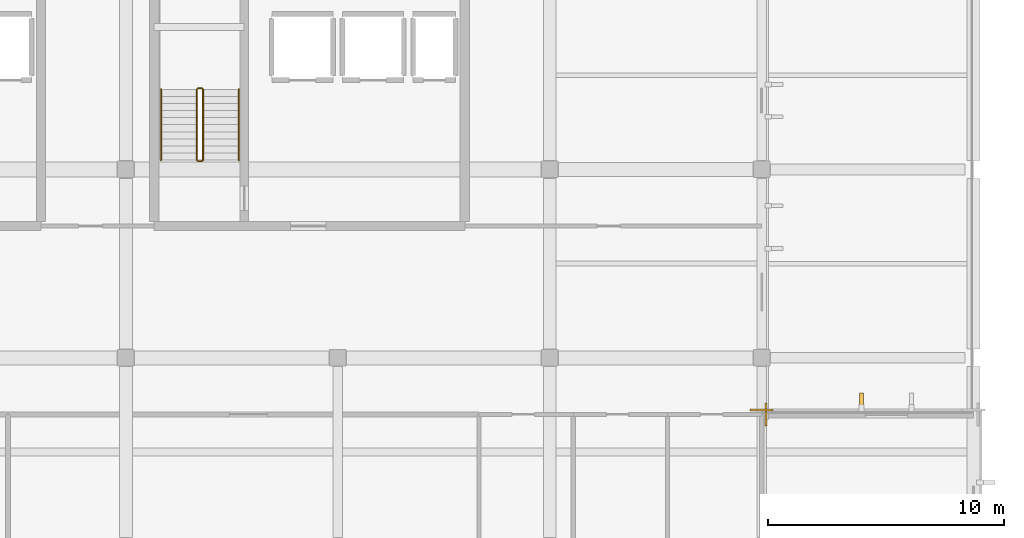
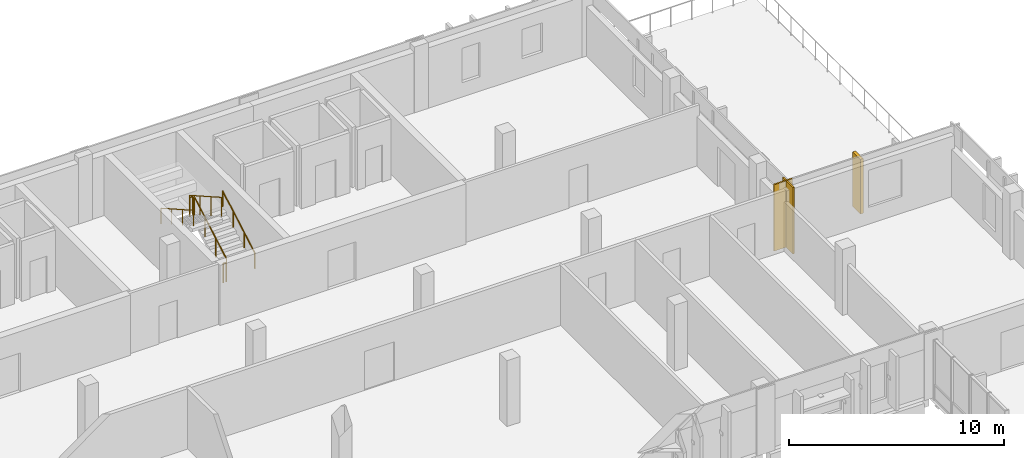
# One storey, part 70 of 73: 6 railings, 2 coverings, 1 shading device.
"""IFC4 building model written with IfcOpenShell, lengths in metres."""

from ifc_helpers import new_model, si_unit, direction, frame, origin, origin_2d, place, context, subcontext, project, spatial, rectangle, circle, extrude, material, layer, layer_set, type_object, element, save


model = new_model("IFC4")

# Units and contexts
model_context = context("Model", 3, precision=1e-05, world=origin(), true_north=direction((0.0, 1.0)))
body_context = subcontext(model_context, "Body", "Model", "MODEL_VIEW")
ifc_project = project(units=[si_unit("LENGTHUNIT", "METRE"), si_unit("AREAUNIT", "SQUARE_METRE"), si_unit("VOLUMEUNIT", "CUBIC_METRE"), si_unit("PLANEANGLEUNIT", "RADIAN"), si_unit("MASSUNIT", "GRAM", prefix="KILO")], contexts=[model_context])

# Site, building, storey
site_placement = place(None, origin())
site = spatial("IfcSite", under=ifc_project, at=site_placement, CompositionType="ELEMENT")
building_placement = place(site_placement, origin())
building = spatial("IfcBuilding", under=site, at=building_placement, Name="Vervanel Yard Central Library", CompositionType="ELEMENT")
storey_placement = place(building_placement, frame((0.0, 0.0, 12.780029296875)))
storey = spatial("IfcBuildingStorey", under=building, at=storey_placement, Name="L03", CompositionType="ELEMENT", Elevation=12.780029296875)

# Railings
ifc_material_1 = material(Name="Brushed stainless steel AISI 316", Category="steel")
railing_type_1 = type_object("IfcRailingType", Name="Brushed Stainless Stair Handrail 900", PredefinedType="HANDRAIL", material=ifc_material_1)
railing_1_placement = place(storey_placement, frame((67.800048828125, 106.39990234375, 0.169921875)))
element("IfcRailing", 1, at=railing_1_placement, inside=storey, type_object=railing_type_1, Name="L03 ST-02 stair handrail 1", PredefinedType="HANDRAIL", context=body_context, shape_type="SweptSolid", body=[
    extrude(circle(Radius=0.02392578125, at=origin_2d()), frame((0.0, 0.0, 0.8759765625), z_axis=(0.0, 0.870028259722, 0.493001853226), x_axis=(-1.0, 0.0, 0.0)), (0.0, 0.0, 1.0), 3.4482421875),
    extrude(circle(Radius=0.02099609375, at=origin_2d()), origin(), (0.0, 0.0, 1.0), 0.851806640625),
    extrude(circle(Radius=0.02099609375, at=origin_2d()), frame((0.0, 1.0, 0.566650390625)), (0.0, 0.0, 1.0), 0.851806640625),
    extrude(circle(Radius=0.02099609375, at=origin_2d()), frame((0.0, 2.0, 1.13330078125)), (0.0, 0.0, 1.0), 0.851806640625),
    extrude(circle(Radius=0.02099609375, at=origin_2d()), frame((0.0, 3.0, 1.699951171875)), (0.0, 0.0, 1.0), 0.851806640625),
])
railing_2_placement = place(storey_placement, frame((64.5, 109.39990234375, 2.0400390625)))
element("IfcRailing", 2, at=railing_2_placement, inside=storey, type_object=railing_type_1, Name="L03 ST-02 stair handrail 2", PredefinedType="HANDRAIL", context=body_context, shape_type="SweptSolid", body=[
    extrude(circle(Radius=0.02392578125, at=origin_2d()), frame((0.0, 0.0, 0.8759765625), z_axis=(0.0, -0.870028259722, 0.493001853226), x_axis=(1.0, 0.0, 0.0)), (0.0, 0.0, 1.0), 3.4482421875),
    extrude(circle(Radius=0.02099609375, at=origin_2d()), origin(), (0.0, 0.0, 1.0), 0.851806640625),
    extrude(circle(Radius=0.02099609375, at=origin_2d()), frame((0.0, -1.0, 0.566650390625)), (0.0, 0.0, 1.0), 0.851806640625),
    extrude(circle(Radius=0.02099609375, at=origin_2d()), frame((0.0, -2.0, 1.13330078125)), (0.0, 0.0, 1.0), 0.851806640625),
    extrude(circle(Radius=0.02099609375, at=origin_2d()), frame((0.0, -3.0, 1.699951171875)), (0.0, 0.0, 1.0), 0.851806640625),
])

# Coverings
ifc_material_2 = material(Name="Precast concrete C45/55", Category="concrete")
ifc_layer = layer(ifc_material_2, 0.0849609375, Category="concrete")
ifc_layer_set = layer_set([ifc_layer], Name="Precast concrete C45/55")
covering_type = type_object("IfcCoveringType", Name="Bush-Hammered Precast Architectural Cladding Panel", PredefinedType="CLADDING", material=ifc_layer_set)
for number, where, z_axis, x_axis, name in (
    (3, (90.0, 95.79248046875, 0.0), (0.0, 0.0, 1.0), (-1.0, 0.0, 0.0), "L03 Precast Concrete Pier Pilaster EWALL-L03-0058-B"),
    (4, (90.1923828125, 95.60009765625, 0.0), (0.0, 0.0, 1.0), (0.0, 1.0, 0.0), "L03 Precast Concrete Pier Pilaster EWALL-L03-0059-A"),
):
    element("IfcCovering", number, at=place(storey_placement, frame(where, z_axis=z_axis, x_axis=x_axis)), inside=storey, type_object=covering_type, Name=name, PredefinedType="CLADDING", context=body_context, shape_type="SweptSolid", body=[
        extrude(rectangle(XDim=0.97998046875, YDim=0.0849609375, at=origin_2d()), origin(), (0.0, 0.0, 1.0), 3.760009765625),
    ])

# Railings
ifc_material_3 = material(Name="Galvanized painted steelwork ASTM A500 Grade C", Category="steel")
railing_type_2 = type_object("IfcRailingType", Name="Painted Steel Guardrail 1100", PredefinedType="GUARDRAIL", material=ifc_material_3)
railing_3_placement = place(storey_placement, frame((66.280029296875, 106.39990234375, 0.169921875)))
element("IfcRailing", 5, at=railing_3_placement, inside=storey, type_object=railing_type_2, Name="L03 ST-02 stair guard 1", PredefinedType="GUARDRAIL", context=body_context, shape_type="SweptSolid", body=[
    extrude(circle(Radius=0.02392578125, at=origin_2d()), frame((0.0, 0.0, 1.076171875), z_axis=(0.0, 0.870028259722, 0.493001853226), x_axis=(-1.0, 0.0, 0.0)), (0.0, 0.0, 1.0), 3.4482421875),
    extrude(circle(Radius=0.02099609375, at=origin_2d()), origin(), (0.0, 0.0, 1.0), 1.052001953125),
    extrude(circle(Radius=0.02099609375, at=origin_2d()), frame((0.0, 1.0, 0.566650390625)), (0.0, 0.0, 1.0), 1.052001953125),
    extrude(circle(Radius=0.02099609375, at=origin_2d()), frame((0.0, 2.0, 1.13330078125)), (0.0, 0.0, 1.0), 1.052001953125),
    extrude(circle(Radius=0.02099609375, at=origin_2d()), frame((0.0, 3.0, 1.699951171875)), (0.0, 0.0, 1.0), 1.052001953125),
])
railing_4_placement = place(storey_placement, frame((66.22998046875, 109.449951171875, 1.869873046875)))
element("IfcRailing", 6, at=railing_4_placement, inside=storey, type_object=railing_type_2, Name="L03 ST-02 stair guard 2", PredefinedType="GUARDRAIL", context=body_context, shape_type="SweptSolid", body=[
    extrude(circle(Radius=0.02392578125, at=origin_2d()), frame((0.0, 0.0, 1.076171875), z_axis=(-1.0, 0.0, 0.0), x_axis=(0.0, -1.0, 0.0)), (0.0, 0.0, 1.0), 0.159912109375),
    extrude(circle(Radius=0.02099609375, at=origin_2d()), origin(), (0.0, 0.0, 1.0), 1.052001953125),
    extrude(circle(Radius=0.02099609375, at=origin_2d()), frame((-0.159912109375, 0.0, 0.0)), (0.0, 0.0, 1.0), 1.052001953125),
])
railing_5_placement = place(storey_placement, frame((66.02001953125, 109.39990234375, 2.0400390625)))
element("IfcRailing", 7, at=railing_5_placement, inside=storey, type_object=railing_type_2, Name="L03 ST-02 stair guard 3", PredefinedType="GUARDRAIL", context=body_context, shape_type="SweptSolid", body=[
    extrude(circle(Radius=0.02392578125, at=origin_2d()), frame((0.0, 0.0, 1.076171875), z_axis=(0.0, -0.870028259722, 0.493001853226), x_axis=(1.0, 0.0, 0.0)), (0.0, 0.0, 1.0), 3.4482421875),
    extrude(circle(Radius=0.02099609375, at=origin_2d()), origin(), (0.0, 0.0, 1.0), 1.052001953125),
    extrude(circle(Radius=0.02099609375, at=origin_2d()), frame((0.0, -1.0, 0.566650390625)), (0.0, 0.0, 1.0), 1.052001953125),
    extrude(circle(Radius=0.02099609375, at=origin_2d()), frame((0.0, -2.0, 1.13330078125)), (0.0, 0.0, 1.0), 1.052001953125),
    extrude(circle(Radius=0.02099609375, at=origin_2d()), frame((0.0, -3.0, 1.699951171875)), (0.0, 0.0, 1.0), 1.052001953125),
])
railing_6_placement = place(storey_placement, frame((66.22998046875, 106.35009765625, 0.0)))
element("IfcRailing", 8, at=railing_6_placement, inside=storey, type_object=railing_type_2, Name="L03 ST-02 stair guard 4", PredefinedType="GUARDRAIL", context=body_context, shape_type="SweptSolid", body=[
    extrude(circle(Radius=0.02392578125, at=origin_2d()), frame((0.0, 0.0, 1.076171875), z_axis=(-1.0, 0.0, 0.0), x_axis=(0.0, -1.0, 0.0)), (0.0, 0.0, 1.0), 0.159912109375),
    extrude(circle(Radius=0.02099609375, at=origin_2d()), origin(), (0.0, 0.0, 1.0), 1.052001953125),
    extrude(circle(Radius=0.02099609375, at=origin_2d()), frame((-0.159912109375, 0.0, 0.0)), (0.0, 0.0, 1.0), 1.052001953125),
])

# Shading device
shading_device_type = type_object("IfcShadingDeviceType", Name="Vertical Precast Solar Fin 160x720x3200", PredefinedType="JALOUSIE", material=ifc_material_2)
shading_device_placement = place(storey_placement, frame((94.239990234375, 96.14990234375, 0.449951171875), z_axis=(0.0, 0.0, 1.0), x_axis=(-1.0, 0.0, 0.0)))
element("IfcShadingDevice", 9, at=shading_device_placement, inside=storey, type_object=shading_device_type, Name="L03 Precast Solar Fin 172", PredefinedType="JALOUSIE", context=body_context, shape_type="SweptSolid", body=[
    extrude(rectangle(XDim=0.159912109375, YDim=0.719970703125, at=origin_2d()), origin(), (0.0, 0.0, 1.0), 3.10009765625),
])

save(model, "model.ifc")
